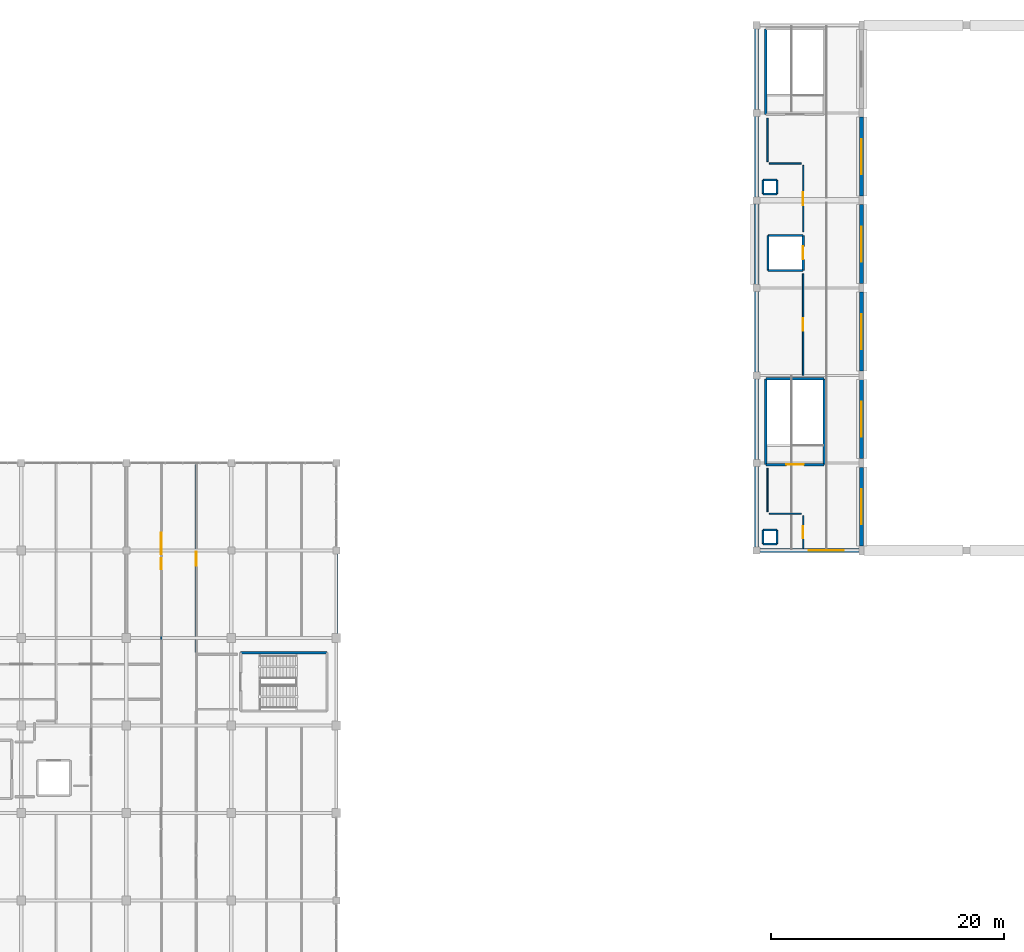
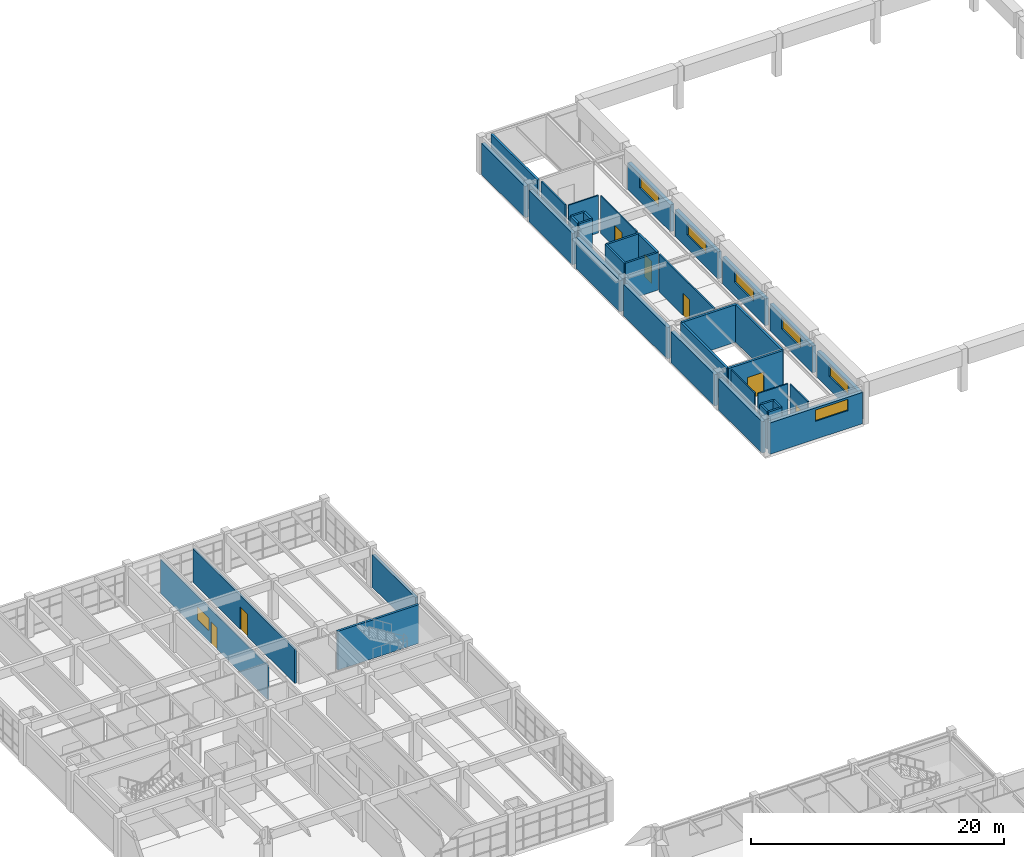
# One storey, part 72 of 76: 40 walls, 7 doors, 7 windows, 14 openings.
"""IFC4 building model written with IfcOpenShell, lengths in metres."""

from ifc_helpers import new_model, si_unit, direction, frame, frame_2d, origin, place, context, subcontext, project, spatial, rectangle, extrude, material, layer, layer_set, type_object, element, fill, save


model = new_model("IFC4")

# Units and contexts
model_context = context("Model", 3, precision=1e-05, world=origin(), true_north=direction((0.0, 1.0)))
body_context = subcontext(model_context, "Body", "Model", "MODEL_VIEW")
ifc_project = project(units=[si_unit("LENGTHUNIT", "METRE"), si_unit("AREAUNIT", "SQUARE_METRE"), si_unit("VOLUMEUNIT", "CUBIC_METRE"), si_unit("PLANEANGLEUNIT", "RADIAN"), si_unit("MASSUNIT", "GRAM", prefix="KILO")], contexts=[model_context])

# Site, building, storey
site_placement = place(None, origin())
site = spatial("IfcSite", under=ifc_project, at=site_placement, CompositionType="ELEMENT")
building_placement = place(site_placement, origin())
building = spatial("IfcBuilding", under=site, at=building_placement, Name="Marnridge Secondary College", CompositionType="ELEMENT")
storey_placement = place(building_placement, frame((0.0, 0.0, 4.5)))
storey = spatial("IfcBuildingStorey", under=building, at=storey_placement, Name="L01", CompositionType="ELEMENT", Elevation=4.5)

# Wall
ifc_material_1 = material(Name="Concrete C40/50 (AS 3600 N40, 40 MPa)", Category="concrete")
ifc_layer_1 = layer(ifc_material_1, 0.199951171875)
ifc_layer_set_1 = layer_set([ifc_layer_1], Name="WT-CORE-RC200")
wall_type_1 = type_object("IfcWallType", Name="WT-CORE-RC200", PredefinedType="SHEAR", material=ifc_layer_set_1)
wall_1_placement = place(storey_placement, frame((89.199951171875, 66.25, 0.0), z_axis=(0.0, 0.0, 1.0), x_axis=(-1.0, 0.0, 0.0)))
element("IfcWall", 1, at=wall_1_placement, inside=storey, type_object=wall_type_1, Name="Stair core shear wall WC-L01-0279", PredefinedType="SHEAR", context=body_context, shape_type="SweptSolid", body=[
    extrude(rectangle(XDim=7.39990234375, YDim=0.199951171875, at=frame_2d((3.699951171875, 0.0))), origin(), (0.0, 0.0, 1.0), 3.739990234375),
])

# Wall, opening, door
wall_2_placement = place(storey_placement, frame((126.800048828125, 82.35009765625, 0.0), z_axis=(0.0, 0.0, 1.0), x_axis=(1.0, 0.0, 0.0)))
wall_2 = element("IfcWall", 2, at=wall_2_placement, inside=storey, type_object=wall_type_1, Name="Stair core shear wall WC-L01-0397", PredefinedType="SHEAR", context=body_context, shape_type="SweptSolid", body=[
    extrude(rectangle(XDim=5.0, YDim=0.199951171875, at=frame_2d((2.5, 0.0))), origin(), (0.0, 0.0, 1.0), 3.6201171875),
])
opening_1_placement = place(wall_2_placement, frame((1.75, 0.0, 0.0)))
opening_1 = element("IfcOpeningElement", 3, at=opening_1_placement, cuts=wall_2, Name="Opening DC-L01-038", PredefinedType="OPENING", context=body_context, shape_type="SweptSolid", body=[
    extrude(rectangle(XDim=1.5, YDim=2.14990234375, at=frame_2d((0.75, 1.074951171875))), frame((0.0, 0.10986328125, 0.0), z_axis=(0.0, -1.0, 0.0), x_axis=(1.0, 0.0, 0.0)), (0.0, 0.0, 1.0), 0.219970703125),
])
ifc_material_2 = material(Name="Fire-rated solid-core timber doorset", Category="wood")
door_type_1 = type_object("IfcDoorType", Name="DT-CORE-FD150", OperationType="DOUBLE_DOOR_SINGLE_SWING", PredefinedType="DOOR", material=ifc_material_2)
door_1_placement = place(opening_1_placement, origin())
door_1 = element("IfcDoor", 4, at=door_1_placement, inside=storey, type_object=door_type_1, Name="Fire stair door DC-L01-038", OperationType="DOUBLE_DOOR_SINGLE_SWING", OverallHeight=2.14990234375, OverallWidth=1.5, PredefinedType="DOOR", context=body_context, shape_type="SweptSolid", body=[
    extrude(rectangle(XDim=1.5, YDim=2.14990234375, at=frame_2d((0.75, 1.074951171875))), frame((0.0, 0.02490234375, 0.0), z_axis=(0.0, -1.0, 0.0), x_axis=(1.0, 0.0, 0.0)), (0.0, 0.0, 1.0), 0.050048828125),
])
fill(opening_1, door_1)

# Walls
wall_3_placement = place(storey_placement, frame((131.800048828125, 82.35009765625, 0.0), z_axis=(0.0, 0.0, 1.0), x_axis=(0.0, 1.0, 0.0)))
element("IfcWall", 5, at=wall_3_placement, inside=storey, type_object=wall_type_1, Name="Stair core shear wall WC-L01-0398", PredefinedType="SHEAR", context=body_context, shape_type="SweptSolid", body=[
    extrude(rectangle(XDim=7.349853515625, YDim=0.199951171875, at=frame_2d((3.6748046875, 0.0))), origin(), (0.0, 0.0, 1.0), 3.6201171875),
])
wall_4_placement = place(storey_placement, frame((131.800048828125, 89.699951171875, 0.0), z_axis=(0.0, 0.0, 1.0), x_axis=(-1.0, 0.0, 0.0)))
element("IfcWall", 6, at=wall_4_placement, inside=storey, type_object=wall_type_1, Name="Stair core shear wall WC-L01-0399", PredefinedType="SHEAR", context=body_context, shape_type="SweptSolid", body=[
    extrude(rectangle(XDim=5.0, YDim=0.199951171875, at=frame_2d((2.5, 0.0))), origin(), (0.0, 0.0, 1.0), 3.6201171875),
])
for number, where, z_axis, x_axis, name in (
    (7, (126.800048828125, 89.699951171875, 0.0), (0.0, 0.0, 1.0), (0.0, -1.0, 0.0), "Stair core shear wall WC-L01-0400"),
    (8, (126.800048828125, 119.699951171875, 0.0), (0.0, 0.0, 1.0), (0.0, -1.0, 0.0), "Stair core shear wall WC-L01-0408"),
):
    element("IfcWall", number, at=place(storey_placement, frame(where, z_axis=z_axis, x_axis=x_axis)), inside=storey, type_object=wall_type_1, Name=name, PredefinedType="SHEAR", context=body_context, shape_type="SweptSolid", body=[
        extrude(rectangle(XDim=7.349853515625, YDim=0.199951171875, at=frame_2d((3.6748046875, 0.0))), origin(), (0.0, 0.0, 1.0), 3.6201171875),
    ])
ifc_material_3 = material(Name="Concrete C40/50 (AS 3600 N40, 40 MPa)", Category="concrete")
ifc_layer_2 = layer(ifc_material_3, 0.25)
ifc_layer_set_2 = layer_set([ifc_layer_2], Name="WT-EXT-RC250")
wall_type_2 = type_object("IfcWallType", Name="WT-EXT-RC250", PredefinedType="SOLIDWALL", material=ifc_layer_set_2)
wall_5_placement = place(storey_placement, frame((90.0, 74.7041015625, 0.0), z_axis=(0.0, 0.0, 1.0), x_axis=(0.0, -1.0, 0.0)))
element("IfcWall", 9, at=wall_5_placement, inside=storey, type_object=wall_type_2, Name="Exterior wall WE-L01-0082", PredefinedType="SOLIDWALL", context=body_context, shape_type="SweptSolid", body=[
    extrude(rectangle(XDim=6.8330078125, YDim=0.25, at=frame_2d((3.41650390625, 0.0))), origin(), (0.0, 0.0, 1.0), 3.14697265625),
])
ifc_material_4 = material(Name="Concrete C40/50 (AS 3600 N40, 40 MPa)", Category="concrete")
ifc_layer_3 = layer(ifc_material_4, 0.320068359375)
ifc_layer_set_3 = layer_set([ifc_layer_3], Name="WT-EXT-RC320")
wall_type_3 = type_object("IfcWallType", Name="WT-EXT-RC320", PredefinedType="SOLIDWALL", material=ifc_layer_set_3)
for number, where, z_axis, x_axis, name in (
    (10, (126.0, 75.2958984375, 0.0), (0.0, 0.0, 1.0), (0.0, 1.0, 0.0), "Exterior wall WE-L01-0088"),
    (11, (126.0, 82.7958984375, 0.0), (0.0, 0.0, 1.0), (0.0, 1.0, 0.0), "Exterior wall WE-L01-0089"),
    (12, (126.0, 90.2958984375, 0.0), (0.0, 0.0, 1.0), (0.0, 1.0, 0.0), "Exterior wall WE-L01-0090"),
    (13, (126.0, 97.7958984375, 0.0), (0.0, 0.0, 1.0), (0.0, 1.0, 0.0), "Exterior wall WE-L01-0091"),
    (14, (126.0, 105.2958984375, 0.0), (0.0, 0.0, 1.0), (0.0, 1.0, 0.0), "Exterior wall WE-L01-0092"),
    (15, (126.0, 112.7958984375, 0.0), (0.0, 0.0, 1.0), (0.0, 1.0, 0.0), "Exterior wall WE-L01-0093"),
):
    element("IfcWall", number, at=place(storey_placement, frame(where, z_axis=z_axis, x_axis=x_axis)), inside=storey, type_object=wall_type_3, Name=name, PredefinedType="SOLIDWALL", context=body_context, shape_type="SweptSolid", body=[
        extrude(rectangle(XDim=6.908203125, YDim=0.320068359375, at=frame_2d((3.4541015625, 0.0))), origin(), (0.0, 0.0, 1.0), 3.027099609375),
    ])

# Wall, opening, window
wall_6_placement = place(storey_placement, frame((135.0, 112.12890625, 0.0), z_axis=(0.0, 0.0, 1.0), x_axis=(0.0, -1.0, 0.0)))
wall_6 = element("IfcWall", 16, at=wall_6_placement, inside=storey, type_object=wall_type_3, Name="Exterior wall WE-L01-0096", PredefinedType="SOLIDWALL", context=body_context, shape_type="SweptSolid", body=[
    extrude(rectangle(XDim=6.7578125, YDim=0.320068359375, at=frame_2d((3.37890625, 0.0))), origin(), (0.0, 0.0, 1.0), 2.592041015625),
])
opening_2_placement = place(wall_6_placement, frame((1.87890625, 0.0, 1.2919921875)))
opening_2 = element("IfcOpeningElement", 17, at=opening_2_placement, cuts=wall_6, Name="Opening WN-L01-0029", PredefinedType="OPENING", context=body_context, shape_type="SweptSolid", body=[
    extrude(rectangle(XDim=3.0, YDim=1.10009765625, at=frame_2d((1.5, 0.550048828125))), frame((0.0, 0.169921875, 0.0), z_axis=(0.0, -1.0, 0.0), x_axis=(1.0, 0.0, 0.0)), (0.0, 0.0, 1.0), 0.340087890625),
])
ifc_material_5 = material(Name="Translucent acoustic clerestory double glazing", Category="glass")
window_type_1 = type_object("IfcWindowType", Name="WN-EXT-CL3011", PartitioningType="TRIPLE_PANEL_VERTICAL", PredefinedType="WINDOW", material=ifc_material_5)
window_1_placement = place(opening_2_placement, origin())
window_1 = element("IfcWindow", 18, at=window_1_placement, inside=storey, type_object=window_type_1, Name="Facade window WN-L01-0029", OverallHeight=1.10009765625, OverallWidth=3.0, PartitioningType="TRIPLE_PANEL_VERTICAL", PredefinedType="WINDOW", context=body_context, shape_type="SweptSolid", body=[
    extrude(rectangle(XDim=3.0, YDim=1.10009765625, at=frame_2d((1.5, 0.550048828125))), frame((0.0, 0.030029296875, 0.0), z_axis=(0.0, -1.0, 0.0), x_axis=(1.0, 0.0, 0.0)), (0.0, 0.0, 1.0), 0.06005859375),
])
fill(opening_2, window_1)

wall_7_placement = place(storey_placement, frame((135.0, 104.62890625, 0.0), z_axis=(0.0, 0.0, 1.0), x_axis=(0.0, -1.0, 0.0)))
wall_7 = element("IfcWall", 19, at=wall_7_placement, inside=storey, type_object=wall_type_3, Name="Exterior wall WE-L01-0097", PredefinedType="SOLIDWALL", context=body_context, shape_type="SweptSolid", body=[
    extrude(rectangle(XDim=6.7578125, YDim=0.320068359375, at=frame_2d((3.37890625, 0.0))), origin(), (0.0, 0.0, 1.0), 2.592041015625),
])
opening_3_placement = place(wall_7_placement, frame((1.87890625, 0.0, 1.2919921875)))
opening_3 = element("IfcOpeningElement", 20, at=opening_3_placement, cuts=wall_7, Name="Opening WN-L01-0030", PredefinedType="OPENING", context=body_context, shape_type="SweptSolid", body=[
    extrude(rectangle(XDim=3.0, YDim=1.10009765625, at=frame_2d((1.5, 0.550048828125))), frame((0.0, 0.169921875, 0.0), z_axis=(0.0, -1.0, 0.0), x_axis=(1.0, 0.0, 0.0)), (0.0, 0.0, 1.0), 0.340087890625),
])
window_2_placement = place(opening_3_placement, origin())
window_2 = element("IfcWindow", 21, at=window_2_placement, inside=storey, type_object=window_type_1, Name="Facade window WN-L01-0030", OverallHeight=1.10009765625, OverallWidth=3.0, PartitioningType="TRIPLE_PANEL_VERTICAL", PredefinedType="WINDOW", context=body_context, shape_type="SweptSolid", body=[
    extrude(rectangle(XDim=3.0, YDim=1.10009765625, at=frame_2d((1.5, 0.550048828125))), frame((0.0, 0.030029296875, 0.0), z_axis=(0.0, -1.0, 0.0), x_axis=(1.0, 0.0, 0.0)), (0.0, 0.0, 1.0), 0.06005859375),
])
fill(opening_3, window_2)

wall_8_placement = place(storey_placement, frame((135.0, 97.12890625, 0.0), z_axis=(0.0, 0.0, 1.0), x_axis=(0.0, -1.0, 0.0)))
wall_8 = element("IfcWall", 22, at=wall_8_placement, inside=storey, type_object=wall_type_3, Name="Exterior wall WE-L01-0098", PredefinedType="SOLIDWALL", context=body_context, shape_type="SweptSolid", body=[
    extrude(rectangle(XDim=6.7578125, YDim=0.320068359375, at=frame_2d((3.37890625, 0.0))), origin(), (0.0, 0.0, 1.0), 2.592041015625),
])
opening_4_placement = place(wall_8_placement, frame((1.87890625, 0.0, 1.2919921875)))
opening_4 = element("IfcOpeningElement", 23, at=opening_4_placement, cuts=wall_8, Name="Opening WN-L01-0031", PredefinedType="OPENING", context=body_context, shape_type="SweptSolid", body=[
    extrude(rectangle(XDim=3.0, YDim=1.10009765625, at=frame_2d((1.5, 0.550048828125))), frame((0.0, 0.169921875, 0.0), z_axis=(0.0, -1.0, 0.0), x_axis=(1.0, 0.0, 0.0)), (0.0, 0.0, 1.0), 0.340087890625),
])
window_3_placement = place(opening_4_placement, origin())
window_3 = element("IfcWindow", 24, at=window_3_placement, inside=storey, type_object=window_type_1, Name="Facade window WN-L01-0031", OverallHeight=1.10009765625, OverallWidth=3.0, PartitioningType="TRIPLE_PANEL_VERTICAL", PredefinedType="WINDOW", context=body_context, shape_type="SweptSolid", body=[
    extrude(rectangle(XDim=3.0, YDim=1.10009765625, at=frame_2d((1.5, 0.550048828125))), frame((0.0, 0.030029296875, 0.0), z_axis=(0.0, -1.0, 0.0), x_axis=(1.0, 0.0, 0.0)), (0.0, 0.0, 1.0), 0.06005859375),
])
fill(opening_4, window_3)

wall_9_placement = place(storey_placement, frame((135.0, 89.62890625, 0.0), z_axis=(0.0, 0.0, 1.0), x_axis=(0.0, -1.0, 0.0)))
wall_9 = element("IfcWall", 25, at=wall_9_placement, inside=storey, type_object=wall_type_3, Name="Exterior wall WE-L01-0099", PredefinedType="SOLIDWALL", context=body_context, shape_type="SweptSolid", body=[
    extrude(rectangle(XDim=6.7578125, YDim=0.320068359375, at=frame_2d((3.37890625, 0.0))), origin(), (0.0, 0.0, 1.0), 2.592041015625),
])
opening_5_placement = place(wall_9_placement, frame((1.87890625, 0.0, 1.2919921875)))
opening_5 = element("IfcOpeningElement", 26, at=opening_5_placement, cuts=wall_9, Name="Opening WN-L01-0032", PredefinedType="OPENING", context=body_context, shape_type="SweptSolid", body=[
    extrude(rectangle(XDim=3.0, YDim=1.10009765625, at=frame_2d((1.5, 0.550048828125))), frame((0.0, 0.169921875, 0.0), z_axis=(0.0, -1.0, 0.0), x_axis=(1.0, 0.0, 0.0)), (0.0, 0.0, 1.0), 0.340087890625),
])
window_4_placement = place(opening_5_placement, origin())
window_4 = element("IfcWindow", 27, at=window_4_placement, inside=storey, type_object=window_type_1, Name="Facade window WN-L01-0032", OverallHeight=1.10009765625, OverallWidth=3.0, PartitioningType="TRIPLE_PANEL_VERTICAL", PredefinedType="WINDOW", context=body_context, shape_type="SweptSolid", body=[
    extrude(rectangle(XDim=3.0, YDim=1.10009765625, at=frame_2d((1.5, 0.550048828125))), frame((0.0, 0.030029296875, 0.0), z_axis=(0.0, -1.0, 0.0), x_axis=(1.0, 0.0, 0.0)), (0.0, 0.0, 1.0), 0.06005859375),
])
fill(opening_5, window_4)

wall_10_placement = place(storey_placement, frame((135.0, 82.12890625, 0.0), z_axis=(0.0, 0.0, 1.0), x_axis=(0.0, -1.0, 0.0)))
wall_10 = element("IfcWall", 28, at=wall_10_placement, inside=storey, type_object=wall_type_3, Name="Exterior wall WE-L01-0100", PredefinedType="SOLIDWALL", context=body_context, shape_type="SweptSolid", body=[
    extrude(rectangle(XDim=6.7578125, YDim=0.320068359375, at=frame_2d((3.37890625, 0.0))), origin(), (0.0, 0.0, 1.0), 2.592041015625),
])
opening_6_placement = place(wall_10_placement, frame((1.87890625, 0.0, 1.2919921875)))
opening_6 = element("IfcOpeningElement", 29, at=opening_6_placement, cuts=wall_10, Name="Opening WN-L01-0033", PredefinedType="OPENING", context=body_context, shape_type="SweptSolid", body=[
    extrude(rectangle(XDim=3.0, YDim=1.10009765625, at=frame_2d((1.5, 0.550048828125))), frame((0.0, 0.169921875, 0.0), z_axis=(0.0, -1.0, 0.0), x_axis=(1.0, 0.0, 0.0)), (0.0, 0.0, 1.0), 0.340087890625),
])
window_5_placement = place(opening_6_placement, origin())
window_5 = element("IfcWindow", 30, at=window_5_placement, inside=storey, type_object=window_type_1, Name="Facade window WN-L01-0033", OverallHeight=1.10009765625, OverallWidth=3.0, PartitioningType="TRIPLE_PANEL_VERTICAL", PredefinedType="WINDOW", context=body_context, shape_type="SweptSolid", body=[
    extrude(rectangle(XDim=3.0, YDim=1.10009765625, at=frame_2d((1.5, 0.550048828125))), frame((0.0, 0.030029296875, 0.0), z_axis=(0.0, -1.0, 0.0), x_axis=(1.0, 0.0, 0.0)), (0.0, 0.0, 1.0), 0.06005859375),
])
fill(opening_6, window_5)

wall_11_placement = place(storey_placement, frame((134.779052734375, 75.0, 0.0), z_axis=(0.0, 0.0, 1.0), x_axis=(-1.0, 0.0, 0.0)))
wall_11 = element("IfcWall", 31, at=wall_11_placement, inside=storey, type_object=wall_type_3, Name="Exterior wall WE-L01-0101", PredefinedType="SOLIDWALL", context=body_context, shape_type="SweptSolid", body=[
    extrude(rectangle(XDim=8.483154296875, YDim=0.320068359375, at=frame_2d((4.24169921875, 0.0))), origin(), (0.0, 0.0, 1.0), 3.027099609375),
])
opening_7_placement = place(wall_11_placement, frame((1.31591796875, 0.0, 1.72705078125)))
opening_7 = element("IfcOpeningElement", 32, at=opening_7_placement, cuts=wall_11, Name="Opening WN-L01-0034", PredefinedType="OPENING", context=body_context, shape_type="SweptSolid", body=[
    extrude(rectangle(XDim=3.0, YDim=1.10009765625, at=frame_2d((1.5, 0.550048828125))), frame((0.0, 0.169921875, 0.0), z_axis=(0.0, -1.0, 0.0), x_axis=(1.0, 0.0, 0.0)), (0.0, 0.0, 1.0), 0.340087890625),
])
window_6_placement = place(opening_7_placement, origin())
window_6 = element("IfcWindow", 33, at=window_6_placement, inside=storey, type_object=window_type_1, Name="Facade window WN-L01-0034", OverallHeight=1.10009765625, OverallWidth=3.0, PartitioningType="TRIPLE_PANEL_VERTICAL", PredefinedType="WINDOW", context=body_context, shape_type="SweptSolid", body=[
    extrude(rectangle(XDim=3.0, YDim=1.10009765625, at=frame_2d((1.5, 0.550048828125))), frame((0.0, 0.030029296875, 0.0), z_axis=(0.0, -1.0, 0.0), x_axis=(1.0, 0.0, 0.0)), (0.0, 0.0, 1.0), 0.06005859375),
])
fill(opening_7, window_6)

# Wall, openings, door, window
ifc_material_6 = material(Name="Acoustic plasterboard partition Rw45", Category="gypsum")
ifc_layer_4 = layer(ifc_material_6, 0.1201171875)
ifc_layer_set_4 = layer_set([ifc_layer_4], Name="WT-PART-AC120")
wall_type_4 = type_object("IfcWallType", Name="WT-PART-AC120", PredefinedType="PARTITIONING", material=ifc_layer_set_4)
wall_12_placement = place(storey_placement, frame((75.0, 65.409912109375, 0.0), z_axis=(0.0, 0.0, 1.0), x_axis=(0.0, 1.0, 0.0)))
wall_12 = element("IfcWall", 34, at=wall_12_placement, inside=storey, type_object=wall_type_4, Name="Interior partition WP-L01-0145", PredefinedType="PARTITIONING", context=body_context, shape_type="SweptSolid", body=[
    extrude(rectangle(XDim=16.93017578125, YDim=0.1201171875, at=frame_2d((8.465087890625, 0.0))), origin(), (0.0, 0.0, 1.0), 3.281982421875),
])
opening_8_placement = place(wall_12_placement, frame((8.0, 0.0, 0.0)))
opening_8 = element("IfcOpeningElement", 35, at=opening_8_placement, cuts=wall_12, Name="Opening DI-L01-0051", PredefinedType="OPENING", context=body_context, shape_type="SweptSolid", body=[
    extrude(rectangle(XDim=0.929931640625, YDim=2.1201171875, at=frame_2d((0.46484375, 1.06005859375))), frame((0.0, 0.070068359375, 0.0), z_axis=(0.0, -1.0, 0.0), x_axis=(1.0, 0.0, 0.0)), (0.0, 0.0, 1.0), 0.14013671875),
])
opening_9_placement = place(wall_12_placement, frame((9.280029296875, 0.0, 1.02001953125)))
opening_9 = element("IfcOpeningElement", 36, at=opening_9_placement, cuts=wall_12, Name="Opening WNI-L01-010", PredefinedType="OPENING", context=body_context, shape_type="SweptSolid", body=[
    extrude(rectangle(XDim=1.820068359375, YDim=1.219970703125, at=frame_2d((0.91015625, 0.60986328125))), frame((0.0, 0.070068359375, 0.0), z_axis=(0.0, -1.0, 0.0), x_axis=(1.0, 0.0, 0.0)), (0.0, 0.0, 1.0), 0.14013671875),
])
ifc_material_7 = material(Name="Solid-core acoustic hoop-pine classroom doorset", Category="wood")
door_type_2 = type_object("IfcDoorType", Name="DT-RM-VAR03", OperationType="NOTDEFINED", PredefinedType="DOOR", material=ifc_material_7)
door_2_placement = place(opening_8_placement, origin())
door_2 = element("IfcDoor", 37, at=door_2_placement, inside=storey, type_object=door_type_2, Name="Interior door DI-L01-0051", OperationType="SINGLE_SWING_LEFT", OverallHeight=2.1201171875, OverallWidth=0.929931640625, PredefinedType="DOOR", context=body_context, shape_type="SweptSolid", body=[
    extrude(rectangle(XDim=0.929931640625, YDim=2.1201171875, at=frame_2d((0.46484375, 1.06005859375))), frame((0.0, 0.02490234375, 0.0), z_axis=(0.0, -1.0, 0.0), x_axis=(1.0, 0.0, 0.0)), (0.0, 0.0, 1.0), 0.050048828125),
])
fill(opening_8, door_2)
ifc_material_8 = material(Name="Acoustic laminated interior vision glazing", Category="glass")
window_type_2 = type_object("IfcWindowType", Name="WN-BL-VAR10", PartitioningType="DOUBLE_PANEL_VERTICAL", PredefinedType="WINDOW", material=ifc_material_8)
window_7_placement = place(opening_9_placement, origin())
window_7 = element("IfcWindow", 38, at=window_7_placement, inside=storey, type_object=window_type_2, Name="Interior vision window WNI-L01-010", OverallHeight=1.219970703125, OverallWidth=1.820068359375, PartitioningType="DOUBLE_PANEL_VERTICAL", PredefinedType="WINDOW", context=body_context, shape_type="SweptSolid", body=[
    extrude(rectangle(XDim=1.820068359375, YDim=1.219970703125, at=frame_2d((0.91015625, 0.60986328125))), frame((0.0, 0.030029296875, 0.0), z_axis=(0.0, -1.0, 0.0), x_axis=(1.0, 0.0, 0.0)), (0.0, 0.0, 1.0), 0.06005859375),
])
fill(opening_9, window_7)

# Wall
wall_13_placement = place(storey_placement, frame((129.840087890625, 108.14990234375, 0.0), z_axis=(0.0, 0.0, 1.0), x_axis=(-1.0, 0.0, 0.0)))
element("IfcWall", 39, at=wall_13_placement, inside=storey, type_object=wall_type_4, Name="Interior partition WP-L01-0153", PredefinedType="PARTITIONING", context=body_context, shape_type="SweptSolid", body=[
    extrude(rectangle(XDim=2.72998046875, YDim=0.1201171875, at=frame_2d((1.364990234375, 0.0))), origin(), (0.0, 0.0, 1.0), 3.6201171875),
])

# Wall, opening, door
wall_14_placement = place(storey_placement, frame((130.0, 102.300048828125, 0.0), z_axis=(0.0, 0.0, 1.0), x_axis=(0.0, 1.0, 0.0)))
wall_14 = element("IfcWall", 40, at=wall_14_placement, inside=storey, type_object=wall_type_4, Name="Interior partition WP-L01-0155", PredefinedType="PARTITIONING", context=body_context, shape_type="SweptSolid", body=[
    extrude(rectangle(XDim=5.68994140625, YDim=0.1201171875, at=frame_2d((2.844970703125, 0.0))), origin(), (0.0, 0.0, 1.0), 3.6201171875),
])
opening_10_placement = place(wall_14_placement, frame((2.284912109375, 0.0, 0.0)))
opening_10 = element("IfcOpeningElement", 41, at=opening_10_placement, cuts=wall_14, Name="Opening DI-L01-0055", PredefinedType="OPENING", context=body_context, shape_type="SweptSolid", body=[
    extrude(rectangle(XDim=1.1201171875, YDim=2.14990234375, at=frame_2d((0.56005859375, 1.074951171875))), frame((0.0, 0.070068359375, 0.0), z_axis=(0.0, -1.0, 0.0), x_axis=(1.0, 0.0, 0.0)), (0.0, 0.0, 1.0), 0.14013671875),
])
ifc_material_9 = material(Name="Solid-core acoustic hoop-pine classroom doorset", Category="wood")
door_type_3 = type_object("IfcDoorType", Name="DT-RM-VAR07", OperationType="NOTDEFINED", PredefinedType="DOOR", material=ifc_material_9)
door_3_placement = place(opening_10_placement, origin())
door_3 = element("IfcDoor", 42, at=door_3_placement, inside=storey, type_object=door_type_3, Name="Interior door DI-L01-0055", OperationType="SINGLE_SWING_LEFT", OverallHeight=2.14990234375, OverallWidth=1.1201171875, PredefinedType="DOOR", context=body_context, shape_type="SweptSolid", body=[
    extrude(rectangle(XDim=1.1201171875, YDim=2.14990234375, at=frame_2d((0.56005859375, 1.074951171875))), frame((0.0, 0.02490234375, 0.0), z_axis=(0.0, -1.0, 0.0), x_axis=(1.0, 0.0, 0.0)), (0.0, 0.0, 1.0), 0.050048828125),
])
fill(opening_10, door_3)

ifc_material_10 = material(Name="Acoustic plasterboard partition Rw48", Category="gypsum")
ifc_layer_5 = layer(ifc_material_10, 0.135009765625)
ifc_layer_set_5 = layer_set([ifc_layer_5], Name="WT-PART-AC135")
wall_type_5 = type_object("IfcWallType", Name="WT-PART-AC135", PredefinedType="PARTITIONING", material=ifc_layer_set_5)
wall_15_placement = place(storey_placement, frame((130.0, 90.0, 0.0), z_axis=(0.0, 0.0, 1.0), x_axis=(0.0, 1.0, 0.0)))
wall_15 = element("IfcWall", 43, at=wall_15_placement, inside=storey, type_object=wall_type_5, Name="Interior partition WP-L01-0152", PredefinedType="PARTITIONING", context=body_context, shape_type="SweptSolid", body=[
    extrude(rectangle(XDim=8.699951171875, YDim=0.135009765625, at=frame_2d((4.35009765625, 0.0))), origin(), (0.0, 0.0, 1.0), 3.6201171875),
])
opening_11_placement = place(wall_15_placement, frame((3.81494140625, 0.0, 0.0)))
opening_11 = element("IfcOpeningElement", 44, at=opening_11_placement, cuts=wall_15, Name="Opening DI-L01-0054", PredefinedType="OPENING", context=body_context, shape_type="SweptSolid", body=[
    extrude(rectangle(XDim=1.070068359375, YDim=2.14990234375, at=frame_2d((0.53515625, 1.074951171875))), frame((0.0, 0.077392578125, 0.0), z_axis=(0.0, -1.0, 0.0), x_axis=(1.0, 0.0, 0.0)), (0.0, 0.0, 1.0), 0.155029296875),
])
ifc_material_11 = material(Name="Solid-core acoustic hoop-pine classroom doorset", Category="wood")
door_type_4 = type_object("IfcDoorType", Name="DT-RM-VAR06", OperationType="NOTDEFINED", PredefinedType="DOOR", material=ifc_material_11)
door_4_placement = place(opening_11_placement, origin())
door_4 = element("IfcDoor", 45, at=door_4_placement, inside=storey, type_object=door_type_4, Name="Interior door DI-L01-0054", OperationType="SINGLE_SWING_RIGHT", OverallHeight=2.14990234375, OverallWidth=1.070068359375, PredefinedType="DOOR", context=body_context, shape_type="SweptSolid", body=[
    extrude(rectangle(XDim=1.070068359375, YDim=2.14990234375, at=frame_2d((0.53515625, 1.074951171875))), frame((0.0, 0.02490234375, 0.0), z_axis=(0.0, -1.0, 0.0), x_axis=(1.0, 0.0, 0.0)), (0.0, 0.0, 1.0), 0.050048828125),
])
fill(opening_11, door_4)

# Wall
wall_16_placement = place(storey_placement, frame((126.949951171875, 108.31005859375, 0.0), z_axis=(0.0, 0.0, 1.0), x_axis=(0.0, 1.0, 0.0)))
element("IfcWall", 46, at=wall_16_placement, inside=storey, type_object=wall_type_5, Name="Interior partition WP-L01-0154", PredefinedType="PARTITIONING", context=body_context, shape_type="SweptSolid", body=[
    extrude(rectangle(XDim=3.739990234375, YDim=0.135009765625, at=frame_2d((1.8701171875, 0.0))), origin(), (0.0, 0.0, 1.0), 3.6201171875),
])

# Wall, opening, door
ifc_material_12 = material(Name="Acoustic plasterboard on twin steel Grade 350 framing Rw55", Category="steel")
ifc_layer_6 = layer(ifc_material_12, 0.1650390625)
ifc_layer_set_6 = layer_set([ifc_layer_6], Name="WT-PART-AC165")
wall_type_6 = type_object("IfcWallType", Name="WT-PART-AC165", PredefinedType="PARTITIONING", material=ifc_layer_set_6)
wall_17_placement = place(storey_placement, frame((78.0, 82.340087890625, 0.0), z_axis=(0.0, 0.0, 1.0), x_axis=(0.0, -1.0, 0.0)))
wall_17 = element("IfcWall", 47, at=wall_17_placement, inside=storey, type_object=wall_type_6, Name="Interior partition WP-L01-0146", PredefinedType="PARTITIONING", context=body_context, shape_type="SweptSolid", body=[
    extrude(rectangle(XDim=16.080078125, YDim=0.1650390625, at=frame_2d((8.0400390625, 0.0))), origin(), (0.0, 0.0, 1.0), 3.281982421875),
])
opening_12_placement = place(wall_17_placement, frame((7.43994140625, 0.0, 0.0)))
opening_12 = element("IfcOpeningElement", 48, at=opening_12_placement, cuts=wall_17, Name="Opening DI-L01-0052", PredefinedType="OPENING", context=body_context, shape_type="SweptSolid", body=[
    extrude(rectangle(XDim=1.199951171875, YDim=2.14990234375, at=frame_2d((0.60009765625, 1.074951171875))), frame((0.0, 0.092529296875, 0.0), z_axis=(0.0, -1.0, 0.0), x_axis=(1.0, 0.0, 0.0)), (0.0, 0.0, 1.0), 0.18505859375),
])
ifc_material_13 = material(Name="Galvanised steel Grade 350 plant-room fire doorset", Category="steel")
door_type_5 = type_object("IfcDoorType", Name="DT-PLT-120", OperationType="NOTDEFINED", PredefinedType="DOOR", material=ifc_material_13)
door_5_placement = place(opening_12_placement, origin())
door_5 = element("IfcDoor", 49, at=door_5_placement, inside=storey, type_object=door_type_5, Name="Interior door DI-L01-0052", OperationType="SINGLE_SWING_RIGHT", OverallHeight=2.14990234375, OverallWidth=1.199951171875, PredefinedType="DOOR", context=body_context, shape_type="SweptSolid", body=[
    extrude(rectangle(XDim=1.199951171875, YDim=2.14990234375, at=frame_2d((0.60009765625, 1.074951171875))), frame((0.0, 0.02490234375, 0.0), z_axis=(0.0, -1.0, 0.0), x_axis=(1.0, 0.0, 0.0)), (0.0, 0.0, 1.0), 0.050048828125),
])
fill(opening_12, door_5)

# Wall
ifc_material_14 = material(Name="Moisture-resistant plasterboard sanitary partition", Category="gypsum")
ifc_layer_7 = layer(ifc_material_14, 0.110107421875)
ifc_layer_set_7 = layer_set([ifc_layer_7], Name="WT-PART-WT110")
wall_type_7 = type_object("IfcWallType", Name="WT-PART-WT110", PredefinedType="PARTITIONING", material=ifc_layer_set_7)
wall_18_placement = place(storey_placement, frame((129.840087890625, 78.14990234375, 0.0), z_axis=(0.0, 0.0, 1.0), x_axis=(-1.0, 0.0, 0.0)))
element("IfcWall", 50, at=wall_18_placement, inside=storey, type_object=wall_type_7, Name="Interior partition WP-L01-0149", PredefinedType="PARTITIONING", context=body_context, shape_type="SweptSolid", body=[
    extrude(rectangle(XDim=2.72998046875, YDim=0.110107421875, at=frame_2d((1.364990234375, 0.0))), origin(), (0.0, 0.0, 1.0), 3.6201171875),
])

# Wall, opening, door
wall_19_placement = place(storey_placement, frame((130.0, 75.159912109375, 0.0), z_axis=(0.0, 0.0, 1.0), x_axis=(0.0, 1.0, 0.0)))
wall_19 = element("IfcWall", 51, at=wall_19_placement, inside=storey, type_object=wall_type_7, Name="Interior partition WP-L01-0150", PredefinedType="PARTITIONING", context=body_context, shape_type="SweptSolid", body=[
    extrude(rectangle(XDim=2.830078125, YDim=0.110107421875, at=frame_2d((1.4150390625, 0.0))), origin(), (0.0, 0.0, 1.0), 3.6201171875),
])
opening_13_placement = place(wall_19_placement, frame((0.89990234375, 0.0, 0.0)))
opening_13 = element("IfcOpeningElement", 52, at=opening_13_placement, cuts=wall_19, Name="Opening DI-L01-0053", PredefinedType="OPENING", context=body_context, shape_type="SweptSolid", body=[
    extrude(rectangle(XDim=1.030029296875, YDim=2.14990234375, at=frame_2d((0.51513671875, 1.074951171875))), frame((0.0, 0.06494140625, 0.0), z_axis=(0.0, -1.0, 0.0), x_axis=(1.0, 0.0, 0.0)), (0.0, 0.0, 1.0), 0.130126953125),
])
ifc_material_15 = material(Name="Solid-core acoustic hoop-pine classroom doorset", Category="wood")
door_type_6 = type_object("IfcDoorType", Name="DT-RM-VAR05", OperationType="NOTDEFINED", PredefinedType="DOOR", material=ifc_material_15)
door_6_placement = place(opening_13_placement, origin())
door_6 = element("IfcDoor", 53, at=door_6_placement, inside=storey, type_object=door_type_6, Name="Interior door DI-L01-0053", OperationType="SINGLE_SWING_LEFT", OverallHeight=2.14990234375, OverallWidth=1.030029296875, PredefinedType="DOOR", context=body_context, shape_type="SweptSolid", body=[
    extrude(rectangle(XDim=1.030029296875, YDim=2.14990234375, at=frame_2d((0.51513671875, 1.074951171875))), frame((0.0, 0.02490234375, 0.0), z_axis=(0.0, -1.0, 0.0), x_axis=(1.0, 0.0, 0.0)), (0.0, 0.0, 1.0), 0.050048828125),
])
fill(opening_13, door_6)

# Walls
wall_20_placement = place(storey_placement, frame((126.949951171875, 78.31005859375, 0.0), z_axis=(0.0, 0.0, 1.0), x_axis=(0.0, 1.0, 0.0)))
element("IfcWall", 54, at=wall_20_placement, inside=storey, type_object=wall_type_7, Name="Interior partition WP-L01-0151", PredefinedType="PARTITIONING", context=body_context, shape_type="SweptSolid", body=[
    extrude(rectangle(XDim=3.739990234375, YDim=0.110107421875, at=frame_2d((1.8701171875, 0.0))), origin(), (0.0, 0.0, 1.0), 3.6201171875),
])
ifc_material_16 = material(Name="Concrete C40/50 (AS 3600 N40, 40 MPa)", Category="concrete")
ifc_layer_8 = layer(ifc_material_16, 0.179931640625)
ifc_layer_set_8 = layer_set([ifc_layer_8], Name="WT-SHAFT-RC180")
wall_type_8 = type_object("IfcWallType", Name="WT-SHAFT-RC180", PredefinedType="SHEAR", material=ifc_layer_set_8)
for number, where, z_axis, x_axis, name in (
    (55, (127.75, 75.550048828125, 0.0), (0.0, 0.0, 1.0), (-1.0, 0.0, 0.0), "Service riser shaft wall WR-L01-0069"),
    (56, (126.550048828125, 75.550048828125, 0.0), (0.0, 0.0, 1.0), (0.0, 1.0, 0.0), "Service riser shaft wall WR-L01-0070"),
    (57, (126.550048828125, 76.75, 0.0), (0.0, 0.0, 1.0), (1.0, 0.0, 0.0), "Service riser shaft wall WR-L01-0071"),
    (58, (127.75, 76.75, 0.0), (0.0, 0.0, 1.0), (0.0, -1.0, 0.0), "Service riser shaft wall WR-L01-0072"),
    (59, (127.75, 105.550048828125, 0.0), (0.0, 0.0, 1.0), (-1.0, 0.0, 0.0), "Service riser shaft wall WR-L01-0073"),
    (60, (126.550048828125, 105.550048828125, 0.0), (0.0, 0.0, 1.0), (0.0, 1.0, 0.0), "Service riser shaft wall WR-L01-0074"),
    (61, (126.550048828125, 106.75, 0.0), (0.0, 0.0, 1.0), (1.0, 0.0, 0.0), "Service riser shaft wall WR-L01-0075"),
    (62, (127.75, 106.75, 0.0), (0.0, 0.0, 1.0), (0.0, -1.0, 0.0), "Service riser shaft wall WR-L01-0076"),
):
    element("IfcWall", number, at=place(storey_placement, frame(where, z_axis=z_axis, x_axis=x_axis)), inside=storey, type_object=wall_type_8, Name=name, PredefinedType="SHEAR", context=body_context, shape_type="SweptSolid", body=[
        extrude(rectangle(XDim=1.199951171875, YDim=0.179931640625, at=frame_2d((0.60009765625, 0.0))), origin(), (0.0, 0.0, 1.0), 3.6201171875),
    ])
for number, where, z_axis, x_axis, name in (
    (63, (130.0, 99.0, 0.0), (0.0, 0.0, 1.0), (-1.0, 0.0, 0.0), "Lift shaft wall WL-L01-0485"),
    (64, (127.0, 99.0, 0.0), (0.0, 0.0, 1.0), (0.0, 1.0, 0.0), "Lift shaft wall WL-L01-0486"),
    (65, (127.0, 102.0, 0.0), (0.0, 0.0, 1.0), (1.0, 0.0, 0.0), "Lift shaft wall WL-L01-0487"),
):
    element("IfcWall", number, at=place(storey_placement, frame(where, z_axis=z_axis, x_axis=x_axis)), inside=storey, type_object=wall_type_8, Name=name, PredefinedType="SHEAR", context=body_context, shape_type="SweptSolid", body=[
        extrude(rectangle(XDim=3.0, YDim=0.179931640625, at=frame_2d((1.5, 0.0))), origin(), (0.0, 0.0, 1.0), 3.6201171875),
    ])

# Wall, opening, door
wall_21_placement = place(storey_placement, frame((130.0, 102.0, 0.0), z_axis=(0.0, 0.0, 1.0), x_axis=(0.0, -1.0, 0.0)))
wall_21 = element("IfcWall", 66, at=wall_21_placement, inside=storey, type_object=wall_type_8, Name="Lift shaft wall WL-L01-0488", PredefinedType="SHEAR", context=body_context, shape_type="SweptSolid", body=[
    extrude(rectangle(XDim=3.0, YDim=0.179931640625, at=frame_2d((1.5, 0.0))), origin(), (0.0, 0.0, 1.0), 3.6201171875),
])
opening_14_placement = place(wall_21_placement, frame((0.949951171875, 0.0, 0.0)))
opening_14 = element("IfcOpeningElement", 67, at=opening_14_placement, cuts=wall_21, Name="Opening LD-LC-05-L01", PredefinedType="OPENING", context=body_context, shape_type="SweptSolid", body=[
    extrude(rectangle(XDim=1.10009765625, YDim=2.14990234375, at=frame_2d((0.550048828125, 1.074951171875))), frame((0.0, 0.099853515625, 0.0), z_axis=(0.0, -1.0, 0.0), x_axis=(1.0, 0.0, 0.0)), (0.0, 0.0, 1.0), 0.199951171875),
])
ifc_material_17 = material(Name="Stainless steel Grade 350 automatic sliding lift landing doorset", Category="steel")
door_type_7 = type_object("IfcDoorType", Name="DT-LIFT-LD110", OperationType="SLIDING_TO_LEFT", PredefinedType="DOOR", material=ifc_material_17)
door_7_placement = place(opening_14_placement, origin())
door_7 = element("IfcDoor", 68, at=door_7_placement, inside=storey, type_object=door_type_7, Name="Sliding lift landing door LD-LC-05-L01", OperationType="SLIDING_TO_LEFT", OverallHeight=2.14990234375, OverallWidth=1.10009765625, PredefinedType="DOOR", context=body_context, shape_type="SweptSolid", body=[
    extrude(rectangle(XDim=1.10009765625, YDim=2.14990234375, at=frame_2d((0.550048828125, 1.074951171875))), frame((0.0, 0.02490234375, 0.0), z_axis=(0.0, -1.0, 0.0), x_axis=(1.0, 0.0, 0.0)), (0.0, 0.0, 1.0), 0.050048828125),
])
fill(opening_14, door_7)

save(model, "model.ifc")
